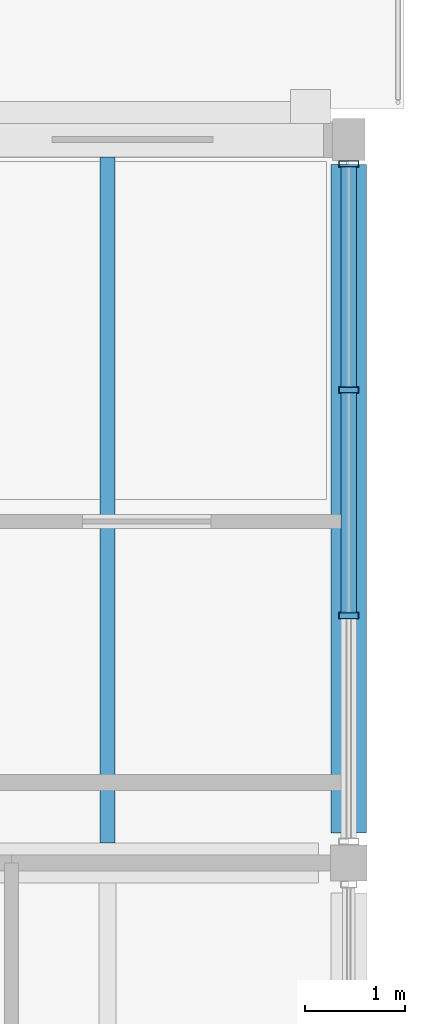
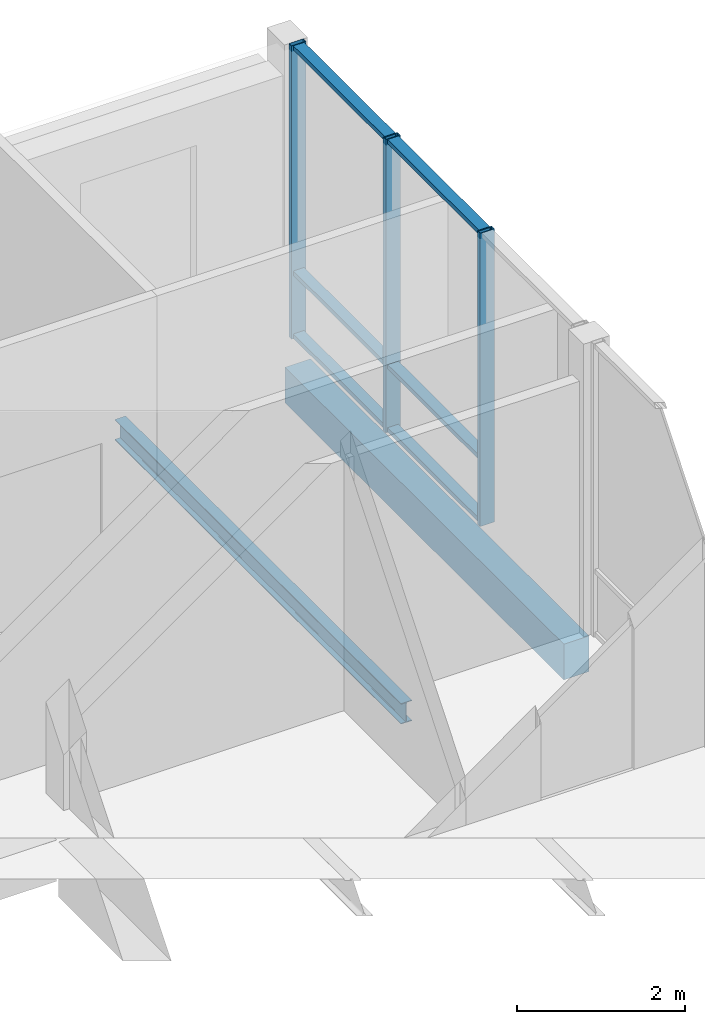
# One storey, part 94 of 146: 9 members, 2 beams, 1 element without a shape of its own.
"""IFC4 building model written with IfcOpenShell, lengths in metres."""

import ifcopenshell
import ifcopenshell.guid

model = None  # the IFC model being written
_history = None  # IfcOwnerHistory: only IFC2X3 demands one
_inside = {}  # id of a spatial element -> (the spatial element, [elements in it])
_under = {}  # id of a project, library or spatial element -> (it, [spatial elements below it])
_declared = {}  # id of a project -> (the project, [libraries it declares])
_typed = {}  # id of a type object -> (the type object, [elements of that type])
_made_of = {}  # id of a material, layer set ... -> (it, [elements and type objects made of it])


def new_model(schema):
    """Start an empty IFC model of exactly this schema.

    Asked for "IFC4X3", IfcOpenShell would pick the latest addendum, in which some entities
    have other attributes; the version numbers below select the first issue.
    IFC2X3 requires an IfcOwnerHistory on every rooted entity: one is made here for all.
    """
    global model, _history
    if schema == "IFC4X3":
        model = ifcopenshell.file(schema_version=(4, 3, 0, 0))
    else:
        model = ifcopenshell.file(schema=schema)
    _inside.clear()
    _under.clear()
    _declared.clear()
    _typed.clear()
    _made_of.clear()
    _history = None
    if model.schema == "IFC2X3":
        org = make("IfcOrganization", Name="unknown")
        user = make(
            "IfcPersonAndOrganization",
            ThePerson=make("IfcPerson", FamilyName="unknown"),
            TheOrganization=org,
        )
        app = make(
            "IfcApplication",
            ApplicationDeveloper=org,
            Version="unknown",
            ApplicationFullName="unknown",
            ApplicationIdentifier="unknown",
        )
        _history = make(
            "IfcOwnerHistory",
            OwningUser=user,
            OwningApplication=app,
            ChangeAction="ADDED",
            CreationDate=0,
        )
    return model


def make(cls, **values):
    """One entity of the class cls with the attributes given. An attribute that is None is left unset."""
    return model.create_entity(
        cls, **{name: value for name, value in values.items() if value is not None}
    )


def rooted(cls, **values):
    """An entity with a GlobalId (a new one), such as an element, a storey or a relation."""
    return make(cls, GlobalId=ifcopenshell.guid.new(), OwnerHistory=_history, **values)


def si_unit(unit_type, name, prefix=None):
    """IfcSIUnit, for example si_unit("LENGTHUNIT", "METRE", prefix="MILLI")."""
    return make("IfcSIUnit", UnitType=unit_type, Prefix=prefix, Name=name)


def assignment(units):
    """IfcUnitAssignment: the units of a project."""
    return None if units is None else make("IfcUnitAssignment", Units=units)


def point(xyz):
    """IfcCartesianPoint."""
    return None if xyz is None else make("IfcCartesianPoint", Coordinates=xyz)


def direction(xyz):
    """IfcDirection."""
    return None if xyz is None else make("IfcDirection", DirectionRatios=xyz)


def frame(location, z_axis=None, x_axis=None):
    """IfcAxis2Placement3D, a coordinate frame: its origin and axes. An axis left out is left unset."""
    return make(
        "IfcAxis2Placement3D",
        Location=point(location),
        Axis=direction(z_axis),
        RefDirection=direction(x_axis),
    )


def frame_2d(location, x_axis=None):
    """IfcAxis2Placement2D, a coordinate frame in the plane: its origin and x axis."""
    return make(
        "IfcAxis2Placement2D", Location=point(location), RefDirection=direction(x_axis)
    )


def origin():
    """The frame at (0, 0, 0) with its axes left unset."""
    return frame((0.0, 0.0, 0.0))


def origin_2d():
    """The frame at (0, 0) in the plane with its x axis left unset."""
    return frame_2d((0.0, 0.0))


def place(relative_to, where):
    """IfcLocalPlacement: puts the frame where relative to a parent placement (None: the world)."""
    return make(
        "IfcLocalPlacement", PlacementRelTo=relative_to, RelativePlacement=where
    )


def context(
    kind, dimensions, precision=None, world=None, true_north=None, identifier=None
):
    """IfcGeometricRepresentationContext, for example the 3D "Model" context."""
    return make(
        "IfcGeometricRepresentationContext",
        ContextIdentifier=identifier,
        ContextType=kind,
        CoordinateSpaceDimension=dimensions,
        Precision=precision,
        WorldCoordinateSystem=world,
        TrueNorth=true_north,
    )


def subcontext(parent, identifier, kind, view, scale=None):
    """IfcGeometricRepresentationSubContext, for example "Body" below "Model"."""
    return make(
        "IfcGeometricRepresentationSubContext",
        ContextIdentifier=identifier,
        ContextType=kind,
        ParentContext=parent,
        TargetScale=scale,
        TargetView=view,
    )


def project(units=None, contexts=None):
    """IfcProject with its units and contexts."""
    return rooted(
        "IfcProject",
        Name="project",
        RepresentationContexts=contexts,
        UnitsInContext=assignment(units),
    )


def spatial(cls, under=None, at=None, **own):
    """A site, building, storey or space (cls), placed at a placement, below another one or the project."""
    s = rooted(cls, ObjectPlacement=at, **own)
    if under is not None:
        _under.setdefault(under.id(), (under, []))[1].append(s)
    return s


def profile(cls, at=None, kind="AREA", **sizes):
    """A parametric profile (cls). Its sizes go by their IFC names, for example OverallWidth=200.0."""
    return make(cls, ProfileType=kind, Position=at, **sizes)


def rectangle(**sizes):
    """IfcRectangleProfileDef."""
    return profile("IfcRectangleProfileDef", **sizes)


def hollow_rectangle(**sizes):
    """IfcRectangleHollowProfileDef."""
    return profile("IfcRectangleHollowProfileDef", **sizes)


def i_section(**sizes):
    """IfcIShapeProfileDef."""
    return profile("IfcIShapeProfileDef", **sizes)


def extrude(swept, where, along, depth):
    """IfcExtrudedAreaSolid: the profile swept, set in the frame where, extruded along a direction by depth."""
    return make(
        "IfcExtrudedAreaSolid",
        SweptArea=swept,
        Position=where,
        ExtrudedDirection=direction(along),
        Depth=depth,
    )


def shape(context_of_items, identifier, shape_type, items):
    """IfcShapeRepresentation: the items that make up one representation, for example the "Body"."""
    return make(
        "IfcShapeRepresentation",
        ContextOfItems=context_of_items,
        RepresentationIdentifier=identifier,
        RepresentationType=shape_type,
        Items=items,
    )


def material(Name=None, Category=None):
    """IfcMaterial."""
    return make("IfcMaterial", Name=Name, Category=Category)


def material_profile(
    of_material, cross_section, Name=None, Category=None, Priority=None
):
    """IfcMaterialProfile: a cross section and its material."""
    return make(
        "IfcMaterialProfile",
        Name=Name,
        Material=of_material,
        Profile=cross_section,
        Priority=Priority,
        Category=Category,
    )


def profile_set(profiles, Name=None, composite=None):
    """IfcMaterialProfileSet."""
    return make(
        "IfcMaterialProfileSet",
        Name=Name,
        MaterialProfiles=profiles,
        CompositeProfile=composite,
    )


def made_of(thing, what):
    """Note that an element or type object is made of a material, layer set ...; save() writes the relation."""
    if what is not None:
        _made_of.setdefault(what.id(), (what, []))[1].append(thing)
    return thing


def type_object(cls, material=None, **own):
    """A type object (cls), such as IfcWallType, which elements share."""
    return made_of(rooted(cls, **own), material)


def element(
    cls,
    number,
    at=None,
    inside=None,
    cuts=None,
    type_object=None,
    material=None,
    context=None,
    identifier="Body",
    shape_type=None,
    held_by="IfcProductDefinitionShape",
    body=None,
    shapes=None,
    **own,
):
    """One element of the class cls, such as IfcWall. Its Tag is "e" and its number.

    at: its placement. inside: the storey or other place that contains it. cuts: it is an
    opening in that element (IfcRelVoidsElement). A single representation is given by context,
    identifier, shape_type and body (its items); several are given by shapes. held_by: the class
    of the entity that holds the representations. save() writes the other relations.
    """
    e = rooted(cls, Tag="e%d" % number, ObjectPlacement=at, **own)
    if body is not None:
        shapes = [shape(context, identifier, shape_type, body)]
    if shapes is not None:
        e.Representation = make(held_by, Representations=shapes)
    if inside is not None:
        _inside.setdefault(inside.id(), (inside, []))[1].append(e)
    if cuts is not None:
        rooted(
            "IfcRelVoidsElement", RelatingBuildingElement=cuts, RelatedOpeningElement=e
        )
    if type_object is not None:
        _typed.setdefault(type_object.id(), (type_object, []))[1].append(e)
    return made_of(e, material)


def aggregate(whole, parts):
    """IfcRelAggregates: a whole, such as a stair, and the parts it consists of."""
    return rooted("IfcRelAggregates", RelatingObject=whole, RelatedObjects=parts)


def save(model, path):
    """Write the relations noted so far, then the file.

    IfcRelAggregates (storeys below a building ...), IfcRelContainedInSpatialStructure (elements
    in a storey), IfcRelDefinesByType, IfcRelAssociatesMaterial and IfcRelDeclares: one each for
    every whole, place, type object, material and project.
    """
    for whole, parts in _under.values():
        aggregate(whole, parts)
    for where, things in _inside.values():
        rooted(
            "IfcRelContainedInSpatialStructure",
            RelatedElements=things,
            RelatingStructure=where,
        )
    for kind, things in _typed.values():
        rooted("IfcRelDefinesByType", RelatedObjects=things, RelatingType=kind)
    for what, things in _made_of.values():
        rooted("IfcRelAssociatesMaterial", RelatedObjects=things, RelatingMaterial=what)
    for by, libraries in _declared.values():
        rooted("IfcRelDeclares", RelatingContext=by, RelatedDefinitions=libraries)
    model.write(path)


model = new_model("IFC4")

# Units and contexts
model_context = context("Model", 3, precision=1e-05, world=origin(), true_north=direction((0.0, 1.0)))
body_context = subcontext(model_context, "Body", "Model", "MODEL_VIEW")
ifc_project = project(units=[si_unit("LENGTHUNIT", "METRE"), si_unit("AREAUNIT", "SQUARE_METRE"), si_unit("VOLUMEUNIT", "CUBIC_METRE"), si_unit("PLANEANGLEUNIT", "RADIAN"), si_unit("MASSUNIT", "GRAM", prefix="KILO")], contexts=[model_context])

# Site, building, storey
site_placement = place(None, origin())
site = spatial("IfcSite", under=ifc_project, at=site_placement, CompositionType="ELEMENT")
building_placement = place(site_placement, origin())
building = spatial("IfcBuilding", under=site, at=building_placement, Name="Hawrajan Terrace Health Centre", CompositionType="ELEMENT")
storey_placement = place(building_placement, frame((0.0, 0.0, 4.5)))
storey = spatial("IfcBuildingStorey", under=building, at=storey_placement, Name="L01", CompositionType="ELEMENT", Elevation=4.5)

# Curtain wall, members
ifc_material_1 = material(Name="Anodized bronze aluminium and low-E solar glazing", Category="aluminium")
curtain_wall_type = type_object("IfcCurtainWallType", Name="CW_Vestibule_SeriesH1", PredefinedType="USERDEFINED", material=ifc_material_1)
curtain_wall_placement = place(storey_placement, origin())
curtain_wall = element("IfcCurtainWall", 1, at=curtain_wall_placement, inside=storey, type_object=curtain_wall_type, Name="Curtain wall CW-L01-115", ObjectType="UNITISED CURTAIN WALL", PredefinedType="USERDEFINED")
ifc_material_2 = material(Name="Anodized bronze aluminium 6063-T6", Category="aluminium")
ifc_material_profile_1 = material_profile(ifc_material_2, hollow_rectangle(XDim=0.06494140625, YDim=0.199951171875, WallThickness=0.00439453125, at=origin_2d()), Name="CW MUL 65x200")
ifc_profile_set_1 = profile_set([ifc_material_profile_1], Name="Anodized bronze aluminium 6063-T6")
member_type_1 = type_object("IfcMemberType", Name="CWMullion_65x200", PredefinedType="MULLION", material=ifc_profile_set_1)
member_1_placement = place(storey_placement, frame((165.39990234375, 47.86083984375, -0.0048828125), z_axis=(0.0, 0.0, 1.0), x_axis=(0.0, 1.0, 0.0)))
member_1 = element("IfcMember", 2, at=member_1_placement, type_object=member_type_1, Name="Mullion CW-L01-115-M2", PredefinedType="MULLION", context=body_context, shape_type="SweptSolid", body=[
    extrude(hollow_rectangle(XDim=0.06494140625, YDim=0.199951171875, WallThickness=0.00439453125, at=origin_2d()), origin(), (0.0, 0.0, 1.0), 4.269775390625),
])
member_2_placement = place(storey_placement, frame((165.39990234375, 50.109130859375, -0.0048828125), z_axis=(0.0, 0.0, 1.0), x_axis=(0.0, 1.0, 0.0)))
member_2 = element("IfcMember", 3, at=member_2_placement, type_object=member_type_1, Name="Mullion CW-L01-115-M3", PredefinedType="MULLION", context=body_context, shape_type="SweptSolid", body=[
    extrude(hollow_rectangle(XDim=0.06494140625, YDim=0.199951171875, WallThickness=0.00439453125, at=origin_2d()), origin(), (0.0, 0.0, 1.0), 4.269775390625),
])
member_3_placement = place(storey_placement, frame((165.39990234375, 52.357421875, -0.0048828125), z_axis=(0.0, 0.0, 1.0), x_axis=(0.0, 1.0, 0.0)))
member_3 = element("IfcMember", 4, at=member_3_placement, type_object=member_type_1, Name="Mullion CW-L01-115-M4", PredefinedType="MULLION", context=body_context, shape_type="SweptSolid", body=[
    extrude(hollow_rectangle(XDim=0.06494140625, YDim=0.199951171875, WallThickness=0.00439453125, at=origin_2d()), origin(), (0.0, 0.0, 1.0), 4.269775390625),
])
ifc_material_profile_2 = material_profile(ifc_material_2, hollow_rectangle(XDim=0.06494140625, YDim=0.14990234375, WallThickness=0.00390625, at=origin_2d()), Name="CW TRN 65x150")
ifc_profile_set_2 = profile_set([ifc_material_profile_2], Name="Anodized bronze aluminium 6063-T6")
member_type_2 = type_object("IfcMemberType", Name="CWTransom_65x150", PredefinedType="USERDEFINED", material=ifc_profile_set_2)
member_4_placement = place(storey_placement, frame((165.39990234375, 47.88720703125, 0.032470703125), z_axis=(0.0, 1.0, 0.0), x_axis=(0.0, 0.0, 1.0)))
member_4 = element("IfcMember", 5, at=member_4_placement, type_object=member_type_2, Name="Transom CW-L01-115-T2-1", ObjectType="TRANSOM", PredefinedType="USERDEFINED", context=body_context, shape_type="SweptSolid", body=[
    extrude(hollow_rectangle(XDim=0.06494140625, YDim=0.14990234375, WallThickness=0.00390625, at=origin_2d()), origin(), (0.0, 0.0, 1.0), 2.195556640625),
])
member_5_placement = place(storey_placement, frame((165.39990234375, 47.88720703125, 0.949951171875), z_axis=(0.0, 1.0, 0.0), x_axis=(0.0, 0.0, 1.0)))
member_5 = element("IfcMember", 6, at=member_5_placement, type_object=member_type_2, Name="Transom CW-L01-115-T2-2", ObjectType="TRANSOM", PredefinedType="USERDEFINED", context=body_context, shape_type="SweptSolid", body=[
    extrude(hollow_rectangle(XDim=0.06494140625, YDim=0.14990234375, WallThickness=0.00390625, at=origin_2d()), origin(), (0.0, 0.0, 1.0), 2.195556640625),
])
member_6_placement = place(storey_placement, frame((165.39990234375, 47.88720703125, 4.2275390625), z_axis=(0.0, 1.0, 0.0), x_axis=(0.0, 0.0, 1.0)))
member_6 = element("IfcMember", 7, at=member_6_placement, type_object=member_type_2, Name="Transom CW-L01-115-T2-3", ObjectType="TRANSOM", PredefinedType="USERDEFINED", context=body_context, shape_type="SweptSolid", body=[
    extrude(hollow_rectangle(XDim=0.06494140625, YDim=0.14990234375, WallThickness=0.00390625, at=origin_2d()), origin(), (0.0, 0.0, 1.0), 2.195556640625),
])
member_7_placement = place(storey_placement, frame((165.39990234375, 50.1357421875, 0.032470703125), z_axis=(0.0, 1.0, 0.0), x_axis=(0.0, 0.0, 1.0)))
member_7 = element("IfcMember", 8, at=member_7_placement, type_object=member_type_2, Name="Transom CW-L01-115-T3-1", ObjectType="TRANSOM", PredefinedType="USERDEFINED", context=body_context, shape_type="SweptSolid", body=[
    extrude(hollow_rectangle(XDim=0.06494140625, YDim=0.14990234375, WallThickness=0.00390625, at=origin_2d()), origin(), (0.0, 0.0, 1.0), 2.1953125),
])
member_8_placement = place(storey_placement, frame((165.39990234375, 50.1357421875, 0.949951171875), z_axis=(0.0, 1.0, 0.0), x_axis=(0.0, 0.0, 1.0)))
member_8 = element("IfcMember", 9, at=member_8_placement, type_object=member_type_2, Name="Transom CW-L01-115-T3-2", ObjectType="TRANSOM", PredefinedType="USERDEFINED", context=body_context, shape_type="SweptSolid", body=[
    extrude(hollow_rectangle(XDim=0.06494140625, YDim=0.14990234375, WallThickness=0.00390625, at=origin_2d()), origin(), (0.0, 0.0, 1.0), 2.1953125),
])
member_9_placement = place(storey_placement, frame((165.39990234375, 50.1357421875, 4.2275390625), z_axis=(0.0, 1.0, 0.0), x_axis=(0.0, 0.0, 1.0)))
member_9 = element("IfcMember", 10, at=member_9_placement, type_object=member_type_2, Name="Transom CW-L01-115-T3-3", ObjectType="TRANSOM", PredefinedType="USERDEFINED", context=body_context, shape_type="SweptSolid", body=[
    extrude(hollow_rectangle(XDim=0.06494140625, YDim=0.14990234375, WallThickness=0.00390625, at=origin_2d()), origin(), (0.0, 0.0, 1.0), 2.1953125),
])
aggregate(curtain_wall, [member_1, member_2, member_3, member_4, member_5, member_6, member_7, member_8, member_9])

# Beams
ifc_material_3 = material(Name="Concrete C40/50", Category="concrete")
ifc_material_profile_3 = material_profile(ifc_material_3, rectangle(XDim=0.35009765625, YDim=0.52001953125, at=origin_2d()), Name="RC SP 350x520")
ifc_profile_set_3 = profile_set([ifc_material_profile_3], Name="Concrete C40/50")
beam_type_1 = type_object("IfcBeamType", Name="RCSpandrel_350x520", PredefinedType="SPANDREL", material=ifc_profile_set_3)
beam_1_placement = place(storey_placement, frame((165.39990234375, 45.699951171875, -0.659912109375), z_axis=(0.0, 1.0, 0.0), x_axis=(-1.0, 0.0, 0.0)))
element("IfcBeam", 11, at=beam_1_placement, inside=storey, type_object=beam_type_1, Name="Beam BM-Y-L01-E-X22-6", PredefinedType="SPANDREL", context=body_context, shape_type="SweptSolid", body=[
    extrude(rectangle(XDim=0.35009765625, YDim=0.52001953125, at=origin_2d()), origin(), (0.0, 0.0, 1.0), 6.650146484375),
])
ifc_material_4 = material(Name="Steel S355", Category="steel")
ifc_material_profile_4 = material_profile(ifc_material_4, i_section(OverallWidth=0.14990234375, OverallDepth=0.300048828125, WebThickness=0.007080078125, FlangeThickness=0.0107421875, FilletRadius=0.014892578125, at=origin_2d()), Name="IPE 300")
ifc_profile_set_4 = profile_set([ifc_material_profile_4], Name="Steel S355")
beam_type_2 = type_object("IfcBeamType", Name="SteelBeam_IPE300", PredefinedType="JOIST", material=ifc_profile_set_4)
beam_2_placement = place(storey_placement, frame((163.0, 45.60009765625, -0.550048828125), z_axis=(0.0, 1.0, 0.0), x_axis=(-1.0, 0.0, 0.0)))
element("IfcBeam", 12, at=beam_2_placement, inside=storey, type_object=beam_type_2, Name="Secondary joist JST-L01-E-21-6-2", PredefinedType="JOIST", context=body_context, shape_type="SweptSolid", body=[
    extrude(i_section(OverallWidth=0.14990234375, OverallDepth=0.300048828125, WebThickness=0.007080078125, FlangeThickness=0.0107421875, FilletRadius=0.014892578125, at=origin_2d()), origin(), (0.0, 0.0, 1.0), 6.824951171875),
])

save(model, "model.ifc")
